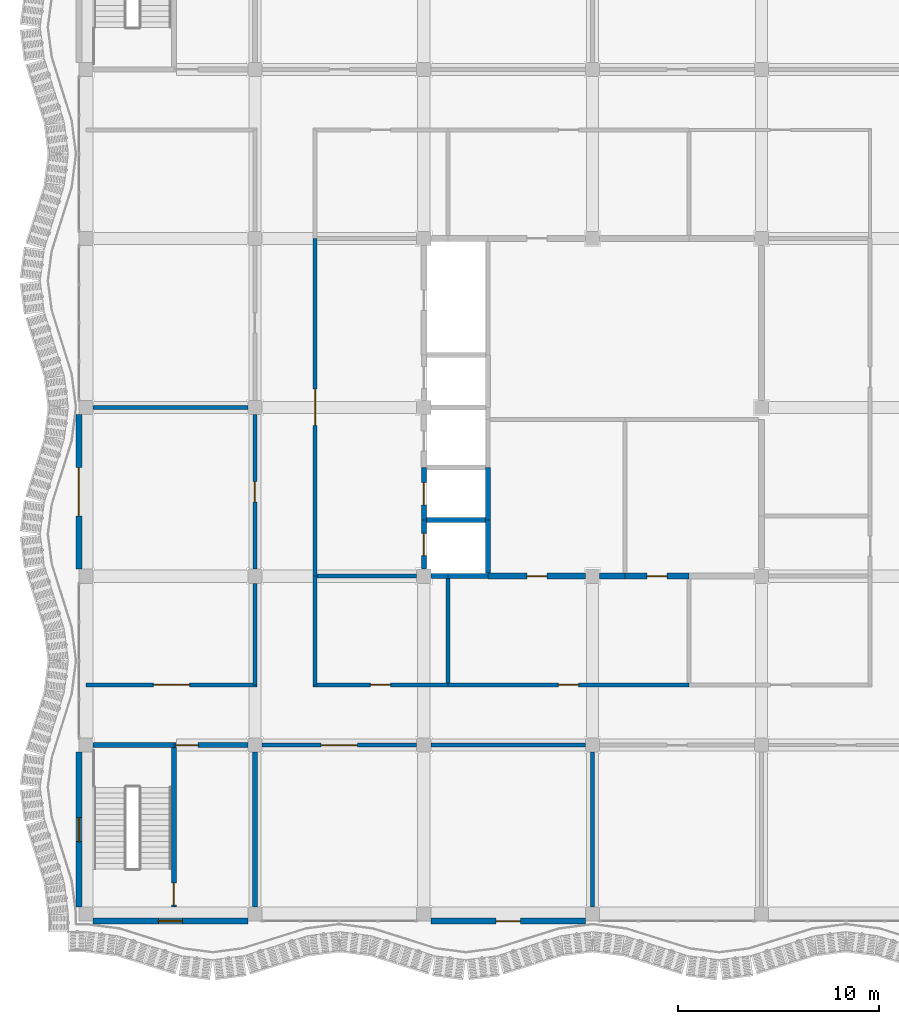
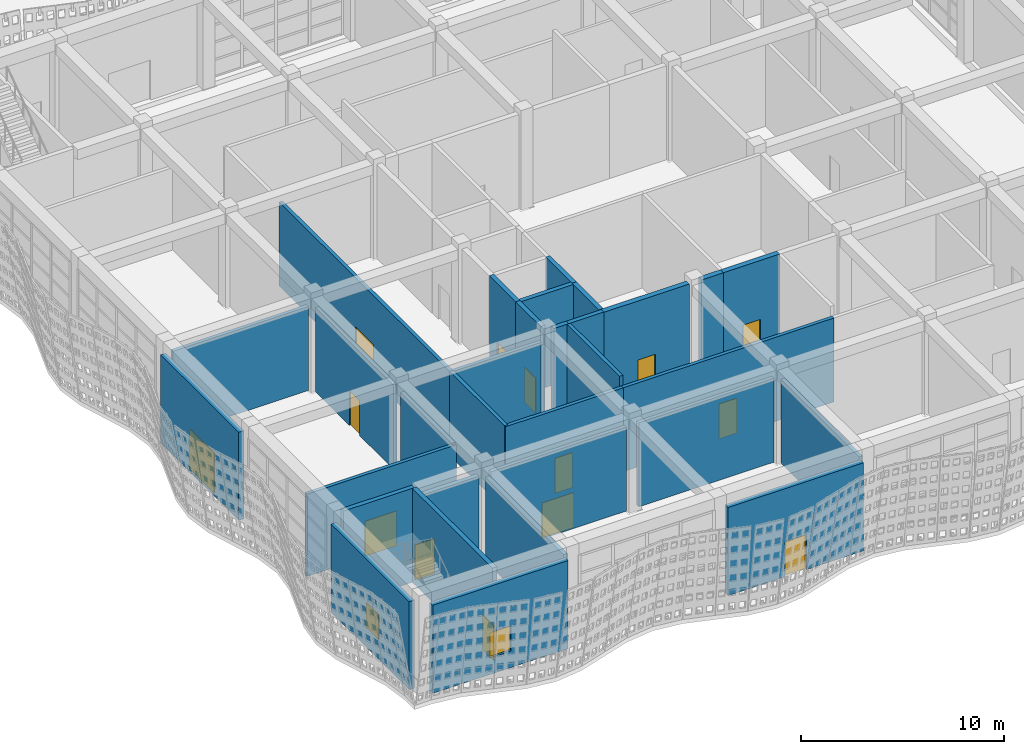
# One storey, part 98 of 210: 31 walls, 14 doors, 2 windows, 16 openings.
"""IFC4 building model written with IfcOpenShell, lengths in metres."""

from ifc_helpers import new_model, si_unit, direction, frame, frame_2d, origin, place, context, subcontext, project, spatial, rectangle, extrude, material, layer, layer_set, type_object, element, fill, save


model = new_model("IFC4")

# Units and contexts
model_context = context("Model", 3, precision=1e-05, world=origin(), true_north=direction((0.0, 1.0)))
body_context = subcontext(model_context, "Body", "Model", "MODEL_VIEW")
ifc_project = project(units=[si_unit("LENGTHUNIT", "METRE"), si_unit("AREAUNIT", "SQUARE_METRE"), si_unit("VOLUMEUNIT", "CUBIC_METRE"), si_unit("PLANEANGLEUNIT", "RADIAN"), si_unit("MASSUNIT", "GRAM", prefix="KILO")], contexts=[model_context])

# Site, building, storey
site_placement = place(None, origin())
site = spatial("IfcSite", under=ifc_project, at=site_placement, CompositionType="ELEMENT")
building_placement = place(site_placement, origin())
building = spatial("IfcBuilding", under=site, at=building_placement, Name="Rain Tree Exposition and Congress Centre", CompositionType="ELEMENT")
storey_placement = place(building_placement, origin())
storey = spatial("IfcBuildingStorey", under=building, at=storey_placement, Name="L00", CompositionType="ELEMENT", Elevation=0.0)

# Wall, opening, door
ifc_material_1 = material(Name="Plasterboard on steel stud", Category="steel")
ifc_layer_1 = layer(ifc_material_1, 0.199951171875)
ifc_layer_set_1 = layer_set([ifc_layer_1], Name="Plasterboard on steel stud")
wall_type_1 = type_object("IfcWallType", Name="Wing acoustic partition 200", PredefinedType="PARTITIONING", material=ifc_layer_set_1)
wall_1_placement = place(storey_placement, frame((8.75, 8.39990234375, 0.0), z_axis=(0.0, 0.0, 1.0), x_axis=(1.0, 0.0, 0.0)))
wall_1 = element("IfcWall", 1, at=wall_1_placement, inside=storey, type_object=wall_type_1, Name="wing/wall/L00/003", PredefinedType="PARTITIONING", context=body_context, shape_type="SweptSolid", body=[
    extrude(rectangle(XDim=7.699951171875, YDim=0.199951171875, at=frame_2d((3.85009765625, 0.0))), origin(), (0.0, 0.0, 1.0), 5.050048828125),
])
opening_1_placement = place(wall_1_placement, frame((2.949951171875, 0.0, 0.0)))
opening_1 = element("IfcOpeningElement", 2, at=opening_1_placement, cuts=wall_1, Name="Opening DW122", PredefinedType="OPENING", context=body_context, shape_type="SweptSolid", body=[
    extrude(rectangle(XDim=1.800048828125, YDim=2.10009765625, at=frame_2d((0.89990234375, 1.050048828125))), frame((0.0, 0.10009765625, 0.0), z_axis=(0.0, -1.0, 0.0), x_axis=(1.0, 0.0, 0.0)), (0.0, 0.0, 1.0), 0.199951171875),
])
ifc_material_2 = material(Name="Timber door leaf", Category="wood")
door_type_1 = type_object("IfcDoorType", Name="Wing door FD30S 1800x2100 double", OperationType="DOUBLE_DOOR_DOUBLE_SWING", PredefinedType="DOOR", material=ifc_material_2)
door_1_placement = place(opening_1_placement, origin())
door_1 = element("IfcDoor", 3, at=door_1_placement, inside=storey, type_object=door_type_1, Name="Door DW122", OperationType="DOUBLE_DOOR_DOUBLE_SWING", OverallHeight=2.10009765625, OverallWidth=1.800048828125, PredefinedType="DOOR", context=body_context, shape_type="SweptSolid", body=[
    extrude(rectangle(XDim=1.800048828125, YDim=2.10009765625, at=frame_2d((0.89990234375, 1.050048828125))), frame((0.0, 0.02490234375, 0.0), z_axis=(0.0, -1.0, 0.0), x_axis=(1.0, 0.0, 0.0)), (0.0, 0.0, 1.0), 0.050048828125),
])
fill(opening_1, door_1)

# Wall
wall_2_placement = place(storey_placement, frame((17.14990234375, 8.39990234375, 0.0), z_axis=(0.0, 0.0, 1.0), x_axis=(1.0, 0.0, 0.0)))
element("IfcWall", 4, at=wall_2_placement, inside=storey, type_object=wall_type_1, Name="wing/wall/L00/004", PredefinedType="PARTITIONING", context=body_context, shape_type="SweptSolid", body=[
    extrude(rectangle(XDim=7.7001953125, YDim=0.199951171875, at=frame_2d((3.85009765625, 0.0))), origin(), (0.0, 0.0, 1.0), 5.050048828125),
])

# Wall, opening, door
wall_3_placement = place(storey_placement, frame((0.0, 11.39990234375, 0.0), z_axis=(0.0, 0.0, 1.0), x_axis=(1.0, 0.0, 0.0)))
wall_3 = element("IfcWall", 5, at=wall_3_placement, inside=storey, type_object=wall_type_1, Name="wing/wall/L00/009", PredefinedType="PARTITIONING", context=body_context, shape_type="SweptSolid", body=[
    extrude(rectangle(XDim=8.5, YDim=0.199951171875, at=frame_2d((4.25, 0.0))), origin(), (0.0, 0.0, 1.0), 4.949951171875),
])
opening_2_placement = place(wall_3_placement, frame((3.35009765625, 0.0, 0.0)))
opening_2 = element("IfcOpeningElement", 6, at=opening_2_placement, cuts=wall_3, Name="Opening DW117", PredefinedType="OPENING", context=body_context, shape_type="SweptSolid", body=[
    extrude(rectangle(XDim=1.800048828125, YDim=2.10009765625, at=frame_2d((0.89990234375, 1.050048828125))), frame((0.0, 0.10009765625, 0.0), z_axis=(0.0, -1.0, 0.0), x_axis=(1.0, 0.0, 0.0)), (0.0, 0.0, 1.0), 0.199951171875),
])
door_2_placement = place(opening_2_placement, origin())
door_2 = element("IfcDoor", 7, at=door_2_placement, inside=storey, type_object=door_type_1, Name="Door DW117", OperationType="DOUBLE_DOOR_DOUBLE_SWING", OverallHeight=2.10009765625, OverallWidth=1.800048828125, PredefinedType="DOOR", context=body_context, shape_type="SweptSolid", body=[
    extrude(rectangle(XDim=1.800048828125, YDim=2.10009765625, at=frame_2d((0.89990234375, 1.050048828125))), frame((0.0, 0.02490234375, 0.0), z_axis=(0.0, -1.0, 0.0), x_axis=(1.0, 0.0, 0.0)), (0.0, 0.0, 1.0), 0.050048828125),
])
fill(opening_2, door_2)

wall_4_placement = place(storey_placement, frame((11.300048828125, 11.39990234375, 0.0), z_axis=(0.0, 0.0, 1.0), x_axis=(1.0, 0.0, 0.0)))
wall_4 = element("IfcWall", 8, at=wall_4_placement, inside=storey, type_object=wall_type_1, Name="wing/wall/L00/010", PredefinedType="PARTITIONING", context=body_context, shape_type="SweptSolid", body=[
    extrude(rectangle(XDim=6.699951171875, YDim=0.199951171875, at=frame_2d((3.35009765625, 0.0))), origin(), (0.0, 0.0, 1.0), 5.050048828125),
])
opening_3_placement = place(wall_4_placement, frame((2.85009765625, 0.0, 0.0)))
opening_3 = element("IfcOpeningElement", 9, at=opening_3_placement, cuts=wall_4, Name="Opening DW131", PredefinedType="OPENING", context=body_context, shape_type="SweptSolid", body=[
    extrude(rectangle(XDim=1.0, YDim=2.10009765625, at=frame_2d((0.5, 1.050048828125))), frame((0.0, 0.10009765625, 0.0), z_axis=(0.0, -1.0, 0.0), x_axis=(1.0, 0.0, 0.0)), (0.0, 0.0, 1.0), 0.199951171875),
])
ifc_material_3 = material(Name="Timber door leaf", Category="wood")
door_type_2 = type_object("IfcDoorType", Name="Wing door FD30S 1000x2100", OperationType="NOTDEFINED", PredefinedType="DOOR", material=ifc_material_3)
door_3_placement = place(opening_3_placement, origin())
door_3 = element("IfcDoor", 10, at=door_3_placement, inside=storey, type_object=door_type_2, Name="Door DW131", OperationType="SINGLE_SWING_LEFT", OverallHeight=2.10009765625, OverallWidth=1.0, PredefinedType="DOOR", context=body_context, shape_type="SweptSolid", body=[
    extrude(rectangle(XDim=1.0, YDim=2.10009765625, at=frame_2d((0.5, 1.050048828125))), frame((0.0, 0.02490234375, 0.0), z_axis=(0.0, -1.0, 0.0), x_axis=(1.0, 0.0, 0.0)), (0.0, 0.0, 1.0), 0.050048828125),
])
fill(opening_3, door_3)

wall_5_placement = place(storey_placement, frame((18.0, 11.39990234375, 0.0), z_axis=(0.0, 0.0, 1.0), x_axis=(1.0, 0.0, 0.0)))
wall_5 = element("IfcWall", 11, at=wall_5_placement, inside=storey, type_object=wall_type_1, Name="wing/wall/L00/011", PredefinedType="PARTITIONING", context=body_context, shape_type="SweptSolid", body=[
    extrude(rectangle(XDim=12.0, YDim=0.199951171875, at=frame_2d((6.0, 0.0))), origin(), (0.0, 0.0, 1.0), 5.050048828125),
])
opening_4_placement = place(wall_5_placement, frame((5.5, 0.0, 0.0)))
opening_4 = element("IfcOpeningElement", 12, at=opening_4_placement, cuts=wall_5, Name="Opening DW118", PredefinedType="OPENING", context=body_context, shape_type="SweptSolid", body=[
    extrude(rectangle(XDim=1.0, YDim=2.10009765625, at=frame_2d((0.5, 1.050048828125))), frame((0.0, 0.10009765625, 0.0), z_axis=(0.0, -1.0, 0.0), x_axis=(1.0, 0.0, 0.0)), (0.0, 0.0, 1.0), 0.199951171875),
])
door_4_placement = place(opening_4_placement, origin())
door_4 = element("IfcDoor", 13, at=door_4_placement, inside=storey, type_object=door_type_2, Name="Door DW118", OperationType="SINGLE_SWING_LEFT", OverallHeight=2.10009765625, OverallWidth=1.0, PredefinedType="DOOR", context=body_context, shape_type="SweptSolid", body=[
    extrude(rectangle(XDim=1.0, YDim=2.10009765625, at=frame_2d((0.5, 1.050048828125))), frame((0.0, 0.02490234375, 0.0), z_axis=(0.0, -1.0, 0.0), x_axis=(1.0, 0.0, 0.0)), (0.0, 0.0, 1.0), 0.050048828125),
])
fill(opening_4, door_4)

# Walls
wall_6_placement = place(storey_placement, frame((11.5, 16.800048828125, 0.0), z_axis=(0.0, 0.0, 1.0), x_axis=(1.0, 0.0, 0.0)))
element("IfcWall", 14, at=wall_6_placement, inside=storey, type_object=wall_type_1, Name="wing/wall/L00/014", PredefinedType="PARTITIONING", context=body_context, shape_type="SweptSolid", body=[
    extrude(rectangle(XDim=4.949951171875, YDim=0.199951171875, at=frame_2d((2.47509765625, 0.0))), origin(), (0.0, 0.0, 1.0), 5.050048828125),
])
wall_7_placement = place(storey_placement, frame((0.35009765625, 25.199951171875, 0.0), z_axis=(0.0, 0.0, 1.0), x_axis=(1.0, 0.0, 0.0)))
element("IfcWall", 15, at=wall_7_placement, inside=storey, type_object=wall_type_1, Name="wing/wall/L00/028", PredefinedType="PARTITIONING", context=body_context, shape_type="SweptSolid", body=[
    extrude(rectangle(XDim=7.699951171875, YDim=0.199951171875, at=frame_2d((3.85009765625, 0.0))), origin(), (0.0, 0.0, 1.0), 5.050048828125),
])
wall_8_placement = place(storey_placement, frame((8.39990234375, 11.39990234375, 0.0), z_axis=(0.0, 0.0, 1.0), x_axis=(0.0, 1.0, 0.0)))
element("IfcWall", 16, at=wall_8_placement, inside=storey, type_object=wall_type_1, Name="wing/wall/L00/054", PredefinedType="PARTITIONING", context=body_context, shape_type="SweptSolid", body=[
    extrude(rectangle(XDim=5.050048828125, YDim=0.199951171875, at=frame_2d((2.52490234375, 0.0))), origin(), (0.0, 0.0, 1.0), 5.050048828125),
])

# Wall, opening, door
wall_9_placement = place(storey_placement, frame((8.39990234375, 17.14990234375, 0.0), z_axis=(0.0, 0.0, 1.0), x_axis=(0.0, 1.0, 0.0)))
wall_9 = element("IfcWall", 17, at=wall_9_placement, inside=storey, type_object=wall_type_1, Name="wing/wall/L00/055", PredefinedType="PARTITIONING", context=body_context, shape_type="SweptSolid", body=[
    extrude(rectangle(XDim=7.7001953125, YDim=0.199951171875, at=frame_2d((3.85009765625, 0.0))), origin(), (0.0, 0.0, 1.0), 5.050048828125),
])
opening_5_placement = place(wall_9_placement, frame((3.35009765625, 0.0, 0.0)))
opening_5 = element("IfcOpeningElement", 18, at=opening_5_placement, cuts=wall_9, Name="Opening DW127", PredefinedType="OPENING", context=body_context, shape_type="SweptSolid", body=[
    extrude(rectangle(XDim=1.0, YDim=2.10009765625, at=frame_2d((0.5, 1.050048828125))), frame((0.0, 0.10009765625, 0.0), z_axis=(0.0, -1.0, 0.0), x_axis=(1.0, 0.0, 0.0)), (0.0, 0.0, 1.0), 0.199951171875),
])
door_5_placement = place(opening_5_placement, origin())
door_5 = element("IfcDoor", 19, at=door_5_placement, inside=storey, type_object=door_type_2, Name="Door DW127", OperationType="SINGLE_SWING_LEFT", OverallHeight=2.10009765625, OverallWidth=1.0, PredefinedType="DOOR", context=body_context, shape_type="SweptSolid", body=[
    extrude(rectangle(XDim=1.0, YDim=2.10009765625, at=frame_2d((0.5, 1.050048828125))), frame((0.0, 0.02490234375, 0.0), z_axis=(0.0, -1.0, 0.0), x_axis=(1.0, 0.0, 0.0)), (0.0, 0.0, 1.0), 0.050048828125),
])
fill(opening_5, door_5)

# Wall
wall_10_placement = place(storey_placement, frame((11.39990234375, 11.39990234375, 0.0), z_axis=(0.0, 0.0, 1.0), x_axis=(0.0, 1.0, 0.0)))
element("IfcWall", 20, at=wall_10_placement, inside=storey, type_object=wall_type_1, Name="wing/wall/L00/059", PredefinedType="PARTITIONING", context=body_context, shape_type="SweptSolid", body=[
    extrude(rectangle(XDim=5.400146484375, YDim=0.199951171875, at=frame_2d((2.7001953125, 0.0))), origin(), (0.0, 0.0, 1.0), 5.050048828125),
])

# Wall, opening, door
wall_11_placement = place(storey_placement, frame((11.39990234375, 16.800048828125, 0.0), z_axis=(0.0, 0.0, 1.0), x_axis=(0.0, 1.0, 0.0)))
wall_11 = element("IfcWall", 21, at=wall_11_placement, inside=storey, type_object=wall_type_1, Name="wing/wall/L00/060", PredefinedType="PARTITIONING", context=body_context, shape_type="SweptSolid", body=[
    extrude(rectangle(XDim=16.800048828125, YDim=0.199951171875, at=frame_2d((8.39990234375, 0.0))), origin(), (0.0, 0.0, 1.0), 5.050048828125),
])
opening_6_placement = place(wall_11_placement, frame((7.5, 0.0, 0.0)))
opening_6 = element("IfcOpeningElement", 22, at=opening_6_placement, cuts=wall_11, Name="Opening DW120", PredefinedType="OPENING", context=body_context, shape_type="SweptSolid", body=[
    extrude(rectangle(XDim=1.800048828125, YDim=2.10009765625, at=frame_2d((0.89990234375, 1.050048828125))), frame((0.0, 0.10009765625, 0.0), z_axis=(0.0, -1.0, 0.0), x_axis=(1.0, 0.0, 0.0)), (0.0, 0.0, 1.0), 0.199951171875),
])
door_6_placement = place(opening_6_placement, origin())
door_6 = element("IfcDoor", 23, at=door_6_placement, inside=storey, type_object=door_type_1, Name="Door DW120", OperationType="DOUBLE_DOOR_DOUBLE_SWING", OverallHeight=2.10009765625, OverallWidth=1.800048828125, PredefinedType="DOOR", context=body_context, shape_type="SweptSolid", body=[
    extrude(rectangle(XDim=1.800048828125, YDim=2.10009765625, at=frame_2d((0.89990234375, 1.050048828125))), frame((0.0, 0.02490234375, 0.0), z_axis=(0.0, -1.0, 0.0), x_axis=(1.0, 0.0, 0.0)), (0.0, 0.0, 1.0), 0.050048828125),
])
fill(opening_6, door_6)

# Wall
wall_12_placement = place(storey_placement, frame((18.0, 11.5, 0.0), z_axis=(0.0, 0.0, 1.0), x_axis=(0.0, 1.0, 0.0)))
element("IfcWall", 24, at=wall_12_placement, inside=storey, type_object=wall_type_1, Name="wing/wall/L00/067", PredefinedType="PARTITIONING", context=body_context, shape_type="SweptSolid", body=[
    extrude(rectangle(XDim=5.175048828125, YDim=0.199951171875, at=frame_2d((2.58740234375, 0.0))), origin(), (0.0, 0.0, 1.0), 5.64990234375),
])

# Wall, opening, door
ifc_material_4 = material(Name="Concrete C40/50", Category="concrete")
ifc_layer_2 = layer(ifc_material_4, 0.300048828125)
ifc_layer_set_2 = layer_set([ifc_layer_2], Name="Concrete C40/50")
wall_type_2 = type_object("IfcWallType", Name="Wing core wall 300", PredefinedType="SHEAR", material=ifc_layer_set_2)
wall_13_placement = place(storey_placement, frame((20.0, 16.800048828125, 0.0), z_axis=(0.0, 0.0, 1.0), x_axis=(1.0, 0.0, 0.0)))
wall_13 = element("IfcWall", 25, at=wall_13_placement, inside=storey, type_object=wall_type_2, Name="wing/wall/L00/017", PredefinedType="SHEAR", context=body_context, shape_type="SweptSolid", body=[
    extrude(rectangle(XDim=4.85009765625, YDim=0.300048828125, at=frame_2d((2.425048828125, 0.0))), origin(), (0.0, 0.0, 1.0), 5.64990234375),
])
opening_7_placement = place(wall_13_placement, frame((1.925048828125, 0.0, 0.0)))
opening_7 = element("IfcOpeningElement", 26, at=opening_7_placement, cuts=wall_13, Name="Opening DW114", PredefinedType="OPENING", context=body_context, shape_type="SweptSolid", body=[
    extrude(rectangle(XDim=1.0, YDim=2.10009765625, at=frame_2d((0.5, 1.050048828125))), frame((0.0, 0.14990234375, 0.0), z_axis=(0.0, -1.0, 0.0), x_axis=(1.0, 0.0, 0.0)), (0.0, 0.0, 1.0), 0.300048828125),
])
ifc_material_5 = material(Name="Timber door leaf", Category="wood")
door_type_3 = type_object("IfcDoorType", Name="Wing door FD60 1000x2100", OperationType="NOTDEFINED", PredefinedType="DOOR", material=ifc_material_5)
door_7_placement = place(opening_7_placement, origin())
door_7 = element("IfcDoor", 27, at=door_7_placement, inside=storey, type_object=door_type_3, Name="Door DW114", OperationType="SINGLE_SWING_LEFT", OverallHeight=2.10009765625, OverallWidth=1.0, PredefinedType="DOOR", context=body_context, shape_type="SweptSolid", body=[
    extrude(rectangle(XDim=1.0, YDim=2.10009765625, at=frame_2d((0.5, 1.050048828125))), frame((0.0, 0.02490234375, 0.0), z_axis=(0.0, -1.0, 0.0), x_axis=(1.0, 0.0, 0.0)), (0.0, 0.0, 1.0), 0.050048828125),
])
fill(opening_7, door_7)

# Wall
wall_14_placement = place(storey_placement, frame((25.550048828125, 16.800048828125, 0.0), z_axis=(0.0, 0.0, 1.0), x_axis=(1.0, 0.0, 0.0)))
element("IfcWall", 28, at=wall_14_placement, inside=storey, type_object=wall_type_2, Name="wing/wall/L00/018", PredefinedType="SHEAR", context=body_context, shape_type="SweptSolid", body=[
    extrude(rectangle(XDim=1.25, YDim=0.300048828125, at=frame_2d((0.625, 0.0))), origin(), (0.0, 0.0, 1.0), 5.64990234375),
])

# Wall, opening, door
wall_15_placement = place(storey_placement, frame((26.800048828125, 16.800048828125, 0.0), z_axis=(0.0, 0.0, 1.0), x_axis=(1.0, 0.0, 0.0)))
wall_15 = element("IfcWall", 29, at=wall_15_placement, inside=storey, type_object=wall_type_2, Name="wing/wall/L00/019", PredefinedType="SHEAR", context=body_context, shape_type="SweptSolid", body=[
    extrude(rectangle(XDim=3.199951171875, YDim=0.300048828125, at=frame_2d((1.60009765625, 0.0))), origin(), (0.0, 0.0, 1.0), 5.64990234375),
])
opening_8_placement = place(wall_15_placement, frame((1.10009765625, 0.0, 0.0)))
opening_8 = element("IfcOpeningElement", 30, at=opening_8_placement, cuts=wall_15, Name="Opening DW115", PredefinedType="OPENING", context=body_context, shape_type="SweptSolid", body=[
    extrude(rectangle(XDim=1.0, YDim=2.10009765625, at=frame_2d((0.5, 1.050048828125))), frame((0.0, 0.14990234375, 0.0), z_axis=(0.0, -1.0, 0.0), x_axis=(1.0, 0.0, 0.0)), (0.0, 0.0, 1.0), 0.300048828125),
])
door_8_placement = place(opening_8_placement, origin())
door_8 = element("IfcDoor", 31, at=door_8_placement, inside=storey, type_object=door_type_3, Name="Door DW115", OperationType="SINGLE_SWING_LEFT", OverallHeight=2.10009765625, OverallWidth=1.0, PredefinedType="DOOR", context=body_context, shape_type="SweptSolid", body=[
    extrude(rectangle(XDim=1.0, YDim=2.10009765625, at=frame_2d((0.5, 1.050048828125))), frame((0.0, 0.02490234375, 0.0), z_axis=(0.0, -1.0, 0.0), x_axis=(1.0, 0.0, 0.0)), (0.0, 0.0, 1.0), 0.050048828125),
])
fill(opening_8, door_8)

# Wall, opening, window
ifc_material_6 = material(Name="Insulated cavity wall")
ifc_layer_3 = layer(ifc_material_6, 0.300048828125)
ifc_layer_set_3 = layer_set([ifc_layer_3], Name="Insulated cavity wall")
wall_type_3 = type_object("IfcWallType", Name="Wing external wall 300", PredefinedType="SOLIDWALL", material=ifc_layer_set_3)
wall_16_placement = place(storey_placement, frame((0.35009765625, -0.35009765625, 0.0), z_axis=(0.0, 0.0, 1.0), x_axis=(1.0, 0.0, 0.0)))
wall_16 = element("IfcWall", 32, at=wall_16_placement, inside=storey, type_object=wall_type_3, Name="wing/facade/L00/S0", PredefinedType="SOLIDWALL", context=body_context, shape_type="SweptSolid", body=[
    extrude(rectangle(XDim=7.699951171875, YDim=0.300048828125, at=frame_2d((3.85009765625, 0.0))), origin(), (0.0, 0.0, 1.0), 5.300048828125),
])
opening_9_placement = place(wall_16_placement, frame((3.25, 0.0, 1.0)))
opening_9 = element("IfcOpeningElement", 33, at=opening_9_placement, cuts=wall_16, Name="Opening WW101", PredefinedType="OPENING", context=body_context, shape_type="SweptSolid", body=[
    extrude(rectangle(XDim=1.199951171875, YDim=1.5, at=frame_2d((0.60009765625, 0.75))), frame((0.0, 0.14990234375, 0.0), z_axis=(0.0, -1.0, 0.0), x_axis=(1.0, 0.0, 0.0)), (0.0, 0.0, 1.0), 0.300048828125),
])
ifc_material_7 = material(Name="Aluminium framed glazing", Category="aluminium")
window_type = type_object("IfcWindowType", Name="Wing window 1200x1500", PartitioningType="SINGLE_PANEL", PredefinedType="WINDOW", material=ifc_material_7)
window_1_placement = place(opening_9_placement, origin())
window_1 = element("IfcWindow", 34, at=window_1_placement, inside=storey, type_object=window_type, Name="wing/window/L00/01", OverallHeight=1.5, OverallWidth=1.199951171875, PartitioningType="SINGLE_PANEL", PredefinedType="WINDOW", context=body_context, shape_type="SweptSolid", body=[
    extrude(rectangle(XDim=1.199951171875, YDim=1.5, at=frame_2d((0.60009765625, 0.75))), frame((0.0, 0.030029296875, 0.0), z_axis=(0.0, -1.0, 0.0), x_axis=(1.0, 0.0, 0.0)), (0.0, 0.0, 1.0), 0.06005859375),
])
fill(opening_9, window_1)

# Wall, opening, door
wall_17_placement = place(storey_placement, frame((17.14990234375, -0.35009765625, 0.0), z_axis=(0.0, 0.0, 1.0), x_axis=(1.0, 0.0, 0.0)))
wall_17 = element("IfcWall", 35, at=wall_17_placement, inside=storey, type_object=wall_type_3, Name="wing/facade/L00/S2", PredefinedType="SOLIDWALL", context=body_context, shape_type="SweptSolid", body=[
    extrude(rectangle(XDim=7.7001953125, YDim=0.300048828125, at=frame_2d((3.85009765625, 0.0))), origin(), (0.0, 0.0, 1.0), 5.300048828125),
])
opening_10_placement = place(wall_17_placement, frame((3.25, 0.0, 0.0)))
opening_10 = element("IfcOpeningElement", 36, at=opening_10_placement, cuts=wall_17, Name="Opening DW151", PredefinedType="OPENING", context=body_context, shape_type="SweptSolid", body=[
    extrude(rectangle(XDim=1.199951171875, YDim=2.10009765625, at=frame_2d((0.60009765625, 1.050048828125))), frame((0.0, 0.14990234375, 0.0), z_axis=(0.0, -1.0, 0.0), x_axis=(1.0, 0.0, 0.0)), (0.0, 0.0, 1.0), 0.300048828125),
])
ifc_material_8 = material(Name="Steel door leaf", Category="steel")
door_type_4 = type_object("IfcDoorType", Name="Wing exit door 1200x2100", OperationType="NOTDEFINED", PredefinedType="DOOR", material=ifc_material_8)
door_9_placement = place(opening_10_placement, origin())
door_9 = element("IfcDoor", 37, at=door_9_placement, inside=storey, type_object=door_type_4, Name="Door DW151", OperationType="SINGLE_SWING_RIGHT", OverallHeight=2.10009765625, OverallWidth=1.199951171875, PredefinedType="DOOR", context=body_context, shape_type="SweptSolid", body=[
    extrude(rectangle(XDim=1.199951171875, YDim=2.10009765625, at=frame_2d((0.60009765625, 1.050048828125))), frame((0.0, 0.02490234375, 0.0), z_axis=(0.0, -1.0, 0.0), x_axis=(1.0, 0.0, 0.0)), (0.0, 0.0, 1.0), 0.050048828125),
])
fill(opening_10, door_9)

# Wall, opening, window
wall_18_placement = place(storey_placement, frame((-0.35009765625, 0.35009765625, 0.0), z_axis=(0.0, 0.0, 1.0), x_axis=(0.0, 1.0, 0.0)))
wall_18 = element("IfcWall", 38, at=wall_18_placement, inside=storey, type_object=wall_type_3, Name="wing/facade/L00/W0", PredefinedType="SOLIDWALL", context=body_context, shape_type="SweptSolid", body=[
    extrude(rectangle(XDim=7.699951171875, YDim=0.300048828125, at=frame_2d((3.85009765625, 0.0))), origin(), (0.0, 0.0, 1.0), 5.300048828125),
])
opening_11_placement = place(wall_18_placement, frame((3.25, 0.0, 1.0)))
opening_11 = element("IfcOpeningElement", 39, at=opening_11_placement, cuts=wall_18, Name="Opening WW105", PredefinedType="OPENING", context=body_context, shape_type="SweptSolid", body=[
    extrude(rectangle(XDim=1.199951171875, YDim=1.5, at=frame_2d((0.60009765625, 0.75))), frame((0.0, 0.14990234375, 0.0), z_axis=(0.0, -1.0, 0.0), x_axis=(1.0, 0.0, 0.0)), (0.0, 0.0, 1.0), 0.300048828125),
])
window_2_placement = place(opening_11_placement, origin())
window_2 = element("IfcWindow", 40, at=window_2_placement, inside=storey, type_object=window_type, Name="wing/window/L00/05", OverallHeight=1.5, OverallWidth=1.199951171875, PartitioningType="SINGLE_PANEL", PredefinedType="WINDOW", context=body_context, shape_type="SweptSolid", body=[
    extrude(rectangle(XDim=1.199951171875, YDim=1.5, at=frame_2d((0.60009765625, 0.75))), frame((0.0, 0.030029296875, 0.0), z_axis=(0.0, -1.0, 0.0), x_axis=(1.0, 0.0, 0.0)), (0.0, 0.0, 1.0), 0.06005859375),
])
fill(opening_11, window_2)

# Wall, opening, door
wall_19_placement = place(storey_placement, frame((-0.35009765625, 17.14990234375, 0.0), z_axis=(0.0, 0.0, 1.0), x_axis=(0.0, 1.0, 0.0)))
wall_19 = element("IfcWall", 41, at=wall_19_placement, inside=storey, type_object=wall_type_3, Name="wing/facade/L00/W2", PredefinedType="SOLIDWALL", context=body_context, shape_type="SweptSolid", body=[
    extrude(rectangle(XDim=7.7001953125, YDim=0.300048828125, at=frame_2d((3.85009765625, 0.0))), origin(), (0.0, 0.0, 1.0), 5.300048828125),
])
opening_12_placement = place(wall_19_placement, frame((2.64990234375, 0.0, 0.0)))
opening_12 = element("IfcOpeningElement", 42, at=opening_12_placement, cuts=wall_19, Name="Opening DW154", PredefinedType="OPENING", context=body_context, shape_type="SweptSolid", body=[
    extrude(rectangle(XDim=2.39990234375, YDim=2.39990234375, at=frame_2d((1.199951171875, 1.199951171875))), frame((0.0, 0.14990234375, 0.0), z_axis=(0.0, -1.0, 0.0), x_axis=(1.0, 0.0, 0.0)), (0.0, 0.0, 1.0), 0.300048828125),
])
ifc_material_9 = material(Name="Glazed aluminium door", Category="aluminium")
door_type_5 = type_object("IfcDoorType", Name="Wing entrance door 2400x2400", OperationType="DOUBLE_DOOR_DOUBLE_SWING", PredefinedType="DOOR", material=ifc_material_9)
door_10_placement = place(opening_12_placement, origin())
door_10 = element("IfcDoor", 43, at=door_10_placement, inside=storey, type_object=door_type_5, Name="Door DW154", OperationType="DOUBLE_DOOR_DOUBLE_SWING", OverallHeight=2.39990234375, OverallWidth=2.39990234375, PredefinedType="DOOR", context=body_context, shape_type="SweptSolid", body=[
    extrude(rectangle(XDim=2.39990234375, YDim=2.39990234375, at=frame_2d((1.199951171875, 1.199951171875))), frame((0.0, 0.02490234375, 0.0), z_axis=(0.0, -1.0, 0.0), x_axis=(1.0, 0.0, 0.0)), (0.0, 0.0, 1.0), 0.050048828125),
])
fill(opening_12, door_10)

# Walls
ifc_material_10 = material(Name="Dense blockwork", Category="masonry")
ifc_layer_4 = layer(ifc_material_10, 0.199951171875)
ifc_layer_set_4 = layer_set([ifc_layer_4], Name="Dense blockwork")
wall_type_4 = type_object("IfcWallType", Name="Wing kitchen wall 200", PredefinedType="SOLIDWALL", material=ifc_layer_set_4)
wall_20_placement = place(storey_placement, frame((25.199951171875, 0.35009765625, 0.0), z_axis=(0.0, 0.0, 1.0), x_axis=(0.0, 1.0, 0.0)))
element("IfcWall", 44, at=wall_20_placement, inside=storey, type_object=wall_type_4, Name="wing/wall/L00/075", PredefinedType="SOLIDWALL", context=body_context, shape_type="SweptSolid", body=[
    extrude(rectangle(XDim=7.699951171875, YDim=0.199951171875, at=frame_2d((3.85009765625, 0.0))), origin(), (0.0, 0.0, 1.0), 5.050048828125),
])
ifc_material_11 = material(Name="Concrete C40/50", Category="concrete")
ifc_layer_5 = layer(ifc_material_11, 0.25)
ifc_layer_set_5 = layer_set([ifc_layer_5], Name="Concrete C40/50")
wall_type_5 = type_object("IfcWallType", Name="Wing lift shaft wall 250", PredefinedType="SHEAR", material=ifc_layer_set_5)
wall_21_placement = place(storey_placement, frame((17.14990234375, 16.800048828125, 0.0), z_axis=(0.0, 0.0, 1.0), x_axis=(1.0, 0.0, 0.0)))
element("IfcWall", 45, at=wall_21_placement, inside=storey, type_object=wall_type_5, Name="wing/wall/L00/015", PredefinedType="SHEAR", context=body_context, shape_type="SweptSolid", body=[
    extrude(rectangle(XDim=0.85009765625, YDim=0.25, at=frame_2d((0.425048828125, 0.0))), origin(), (0.0, 0.0, 1.0), 5.64990234375),
])
wall_22_placement = place(storey_placement, frame((18.0, 16.800048828125, 0.0), z_axis=(0.0, 0.0, 1.0), x_axis=(1.0, 0.0, 0.0)))
element("IfcWall", 46, at=wall_22_placement, inside=storey, type_object=wall_type_5, Name="wing/wall/L00/016", PredefinedType="SHEAR", context=body_context, shape_type="SweptSolid", body=[
    extrude(rectangle(XDim=2.0, YDim=0.25, at=frame_2d((1.0, 0.0))), origin(), (0.0, 0.0, 1.0), 5.64990234375),
])
wall_23_placement = place(storey_placement, frame((16.925048828125, 19.60009765625, 0.0), z_axis=(0.0, 0.0, 1.0), x_axis=(1.0, 0.0, 0.0)))
element("IfcWall", 47, at=wall_23_placement, inside=storey, type_object=wall_type_5, Name="wing/wall/L00/023", PredefinedType="SHEAR", context=body_context, shape_type="SweptSolid", body=[
    extrude(rectangle(XDim=2.949951171875, YDim=0.25, at=frame_2d((1.47509765625, 0.0))), origin(), (0.0, 0.0, 1.0), 5.64990234375),
])

# Wall, opening, door
wall_24_placement = place(storey_placement, frame((16.800048828125, 17.14990234375, 0.0), z_axis=(0.0, 0.0, 1.0), x_axis=(0.0, 1.0, 0.0)))
wall_24 = element("IfcWall", 48, at=wall_24_placement, inside=storey, type_object=wall_type_5, Name="wing/wall/L00/062", PredefinedType="SHEAR", context=body_context, shape_type="SweptSolid", body=[
    extrude(rectangle(XDim=2.4501953125, YDim=0.25, at=frame_2d((1.22509765625, 0.0))), origin(), (0.0, 0.0, 1.0), 5.64990234375),
])
opening_13_placement = place(wall_24_placement, frame((0.675048828125, 0.0, 0.0)))
opening_13 = element("IfcOpeningElement", 49, at=opening_13_placement, cuts=wall_24, Name="Opening DW109", PredefinedType="OPENING", context=body_context, shape_type="SweptSolid", body=[
    extrude(rectangle(XDim=1.10009765625, YDim=2.10009765625, at=frame_2d((0.550048828125, 1.050048828125))), frame((0.0, 0.125, 0.0), z_axis=(0.0, -1.0, 0.0), x_axis=(1.0, 0.0, 0.0)), (0.0, 0.0, 1.0), 0.25),
])
ifc_material_12 = material(Name="Stainless steel", Category="steel")
door_type_6 = type_object("IfcDoorType", Name="Lift landing door 1100x2100", OperationType="DOUBLE_DOOR_SLIDING", PredefinedType="DOOR", material=ifc_material_12)
door_11_placement = place(opening_13_placement, origin())
door_11 = element("IfcDoor", 50, at=door_11_placement, inside=storey, type_object=door_type_6, Name="Landing door DW109", OperationType="DOUBLE_DOOR_SLIDING", OverallHeight=2.10009765625, OverallWidth=1.10009765625, PredefinedType="DOOR", context=body_context, shape_type="SweptSolid", body=[
    extrude(rectangle(XDim=1.10009765625, YDim=2.10009765625, at=frame_2d((0.550048828125, 1.050048828125))), frame((0.0, 0.02490234375, 0.0), z_axis=(0.0, -1.0, 0.0), x_axis=(1.0, 0.0, 0.0)), (0.0, 0.0, 1.0), 0.050048828125),
])
fill(opening_13, door_11)

wall_25_placement = place(storey_placement, frame((16.800048828125, 19.60009765625, 0.0), z_axis=(0.0, 0.0, 1.0), x_axis=(0.0, 1.0, 0.0)))
wall_25 = element("IfcWall", 51, at=wall_25_placement, inside=storey, type_object=wall_type_5, Name="wing/wall/L00/063", PredefinedType="SHEAR", context=body_context, shape_type="SweptSolid", body=[
    extrude(rectangle(XDim=2.599853515625, YDim=0.25, at=frame_2d((1.2998046875, 0.0))), origin(), (0.0, 0.0, 1.0), 5.64990234375),
])
opening_14_placement = place(wall_25_placement, frame((0.75, 0.0, 0.0)))
opening_14 = element("IfcOpeningElement", 52, at=opening_14_placement, cuts=wall_25, Name="Opening DW110", PredefinedType="OPENING", context=body_context, shape_type="SweptSolid", body=[
    extrude(rectangle(XDim=1.10009765625, YDim=2.10009765625, at=frame_2d((0.550048828125, 1.050048828125))), frame((0.0, 0.125, 0.0), z_axis=(0.0, -1.0, 0.0), x_axis=(1.0, 0.0, 0.0)), (0.0, 0.0, 1.0), 0.25),
])
door_12_placement = place(opening_14_placement, origin())
door_12 = element("IfcDoor", 53, at=door_12_placement, inside=storey, type_object=door_type_6, Name="Landing door DW110", OperationType="DOUBLE_DOOR_SLIDING", OverallHeight=2.10009765625, OverallWidth=1.10009765625, PredefinedType="DOOR", context=body_context, shape_type="SweptSolid", body=[
    extrude(rectangle(XDim=1.10009765625, YDim=2.10009765625, at=frame_2d((0.550048828125, 1.050048828125))), frame((0.0, 0.02490234375, 0.0), z_axis=(0.0, -1.0, 0.0), x_axis=(1.0, 0.0, 0.0)), (0.0, 0.0, 1.0), 0.050048828125),
])
fill(opening_14, door_12)

# Walls
wall_26_placement = place(storey_placement, frame((20.0, 16.949951171875, 0.0), z_axis=(0.0, 0.0, 1.0), x_axis=(0.0, 1.0, 0.0)))
element("IfcWall", 54, at=wall_26_placement, inside=storey, type_object=wall_type_5, Name="wing/wall/L00/069", PredefinedType="SHEAR", context=body_context, shape_type="SweptSolid", body=[
    extrude(rectangle(XDim=2.650146484375, YDim=0.25, at=frame_2d((1.3251953125, 0.0))), origin(), (0.0, 0.0, 1.0), 5.64990234375),
])
wall_27_placement = place(storey_placement, frame((20.0, 19.60009765625, 0.0), z_axis=(0.0, 0.0, 1.0), x_axis=(0.0, 1.0, 0.0)))
element("IfcWall", 55, at=wall_27_placement, inside=storey, type_object=wall_type_5, Name="wing/wall/L00/070", PredefinedType="SHEAR", context=body_context, shape_type="SweptSolid", body=[
    extrude(rectangle(XDim=2.599853515625, YDim=0.25, at=frame_2d((1.2998046875, 0.0))), origin(), (0.0, 0.0, 1.0), 5.64990234375),
])
ifc_material_13 = material(Name="Concrete C40/50", Category="concrete")
ifc_layer_6 = layer(ifc_material_13, 0.25)
ifc_layer_set_6 = layer_set([ifc_layer_6], Name="Concrete C40/50")
wall_type_6 = type_object("IfcWallType", Name="Wing stair wall 250", PredefinedType="SHEAR", material=ifc_layer_set_6)
wall_28_placement = place(storey_placement, frame((0.35009765625, 8.39990234375, 0.0), z_axis=(0.0, 0.0, 1.0), x_axis=(1.0, 0.0, 0.0)))
element("IfcWall", 56, at=wall_28_placement, inside=storey, type_object=wall_type_6, Name="wing/wall/L00/001", PredefinedType="SHEAR", context=body_context, shape_type="SweptSolid", body=[
    extrude(rectangle(XDim=4.02490234375, YDim=0.25, at=frame_2d((2.012451171875, 0.0))), origin(), (0.0, 0.0, 1.0), 5.64990234375),
])

# Wall, opening, door
wall_29_placement = place(storey_placement, frame((4.375, 8.39990234375, 0.0), z_axis=(0.0, 0.0, 1.0), x_axis=(1.0, 0.0, 0.0)))
wall_29 = element("IfcWall", 57, at=wall_29_placement, inside=storey, type_object=wall_type_6, Name="wing/wall/L00/002", PredefinedType="SHEAR", context=body_context, shape_type="SweptSolid", body=[
    extrude(rectangle(XDim=3.675048828125, YDim=0.25, at=frame_2d((1.83740234375, 0.0))), origin(), (0.0, 0.0, 1.0), 5.050048828125),
])
opening_15_placement = place(wall_29_placement, frame((0.10009765625, 0.0, 0.0)))
opening_15 = element("IfcOpeningElement", 58, at=opening_15_placement, cuts=wall_29, Name="Opening DW102", PredefinedType="OPENING", context=body_context, shape_type="SweptSolid", body=[
    extrude(rectangle(XDim=1.10009765625, YDim=2.10009765625, at=frame_2d((0.550048828125, 1.050048828125))), frame((0.0, 0.125, 0.0), z_axis=(0.0, -1.0, 0.0), x_axis=(1.0, 0.0, 0.0)), (0.0, 0.0, 1.0), 0.25),
])
ifc_material_14 = material(Name="Timber door leaf", Category="wood")
door_type_7 = type_object("IfcDoorType", Name="Wing door FD60 1100x2100", OperationType="NOTDEFINED", PredefinedType="DOOR", material=ifc_material_14)
door_13_placement = place(opening_15_placement, origin())
door_13 = element("IfcDoor", 59, at=door_13_placement, inside=storey, type_object=door_type_7, Name="Door DW102", OperationType="SINGLE_SWING_LEFT", OverallHeight=2.10009765625, OverallWidth=1.10009765625, PredefinedType="DOOR", context=body_context, shape_type="SweptSolid", body=[
    extrude(rectangle(XDim=1.10009765625, YDim=2.10009765625, at=frame_2d((0.550048828125, 1.050048828125))), frame((0.0, 0.02490234375, 0.0), z_axis=(0.0, -1.0, 0.0), x_axis=(1.0, 0.0, 0.0)), (0.0, 0.0, 1.0), 0.050048828125),
])
fill(opening_15, door_13)

wall_30_placement = place(storey_placement, frame((4.375, 0.35009765625, 0.0), z_axis=(0.0, 0.0, 1.0), x_axis=(0.0, 1.0, 0.0)))
wall_30 = element("IfcWall", 60, at=wall_30_placement, inside=storey, type_object=wall_type_6, Name="wing/wall/L00/051", PredefinedType="SHEAR", context=body_context, shape_type="SweptSolid", body=[
    extrude(rectangle(XDim=7.9248046875, YDim=0.25, at=frame_2d((3.96240234375, 0.0))), origin(), (0.0, 0.0, 1.0), 5.64990234375),
])
opening_16_placement = place(wall_30_placement, frame((0.10009765625, 0.0, 0.0)))
opening_16 = element("IfcOpeningElement", 61, at=opening_16_placement, cuts=wall_30, Name="Opening DW101", PredefinedType="OPENING", context=body_context, shape_type="SweptSolid", body=[
    extrude(rectangle(XDim=1.10009765625, YDim=2.10009765625, at=frame_2d((0.550048828125, 1.050048828125))), frame((0.0, 0.125, 0.0), z_axis=(0.0, -1.0, 0.0), x_axis=(1.0, 0.0, 0.0)), (0.0, 0.0, 1.0), 0.25),
])
door_14_placement = place(opening_16_placement, origin())
door_14 = element("IfcDoor", 62, at=door_14_placement, inside=storey, type_object=door_type_7, Name="Door DW101", OperationType="SINGLE_SWING_LEFT", OverallHeight=2.10009765625, OverallWidth=1.10009765625, PredefinedType="DOOR", context=body_context, shape_type="SweptSolid", body=[
    extrude(rectangle(XDim=1.10009765625, YDim=2.10009765625, at=frame_2d((0.550048828125, 1.050048828125))), frame((0.0, 0.02490234375, 0.0), z_axis=(0.0, -1.0, 0.0), x_axis=(1.0, 0.0, 0.0)), (0.0, 0.0, 1.0), 0.050048828125),
])
fill(opening_16, door_14)

# Wall
wall_31_placement = place(storey_placement, frame((8.39990234375, 0.35009765625, 0.0), z_axis=(0.0, 0.0, 1.0), x_axis=(0.0, 1.0, 0.0)))
element("IfcWall", 63, at=wall_31_placement, inside=storey, type_object=wall_type_6, Name="wing/wall/L00/053", PredefinedType="SHEAR", context=body_context, shape_type="SweptSolid", body=[
    extrude(rectangle(XDim=7.699951171875, YDim=0.25, at=frame_2d((3.85009765625, 0.0))), origin(), (0.0, 0.0, 1.0), 5.050048828125),
])

save(model, "model.ifc")
